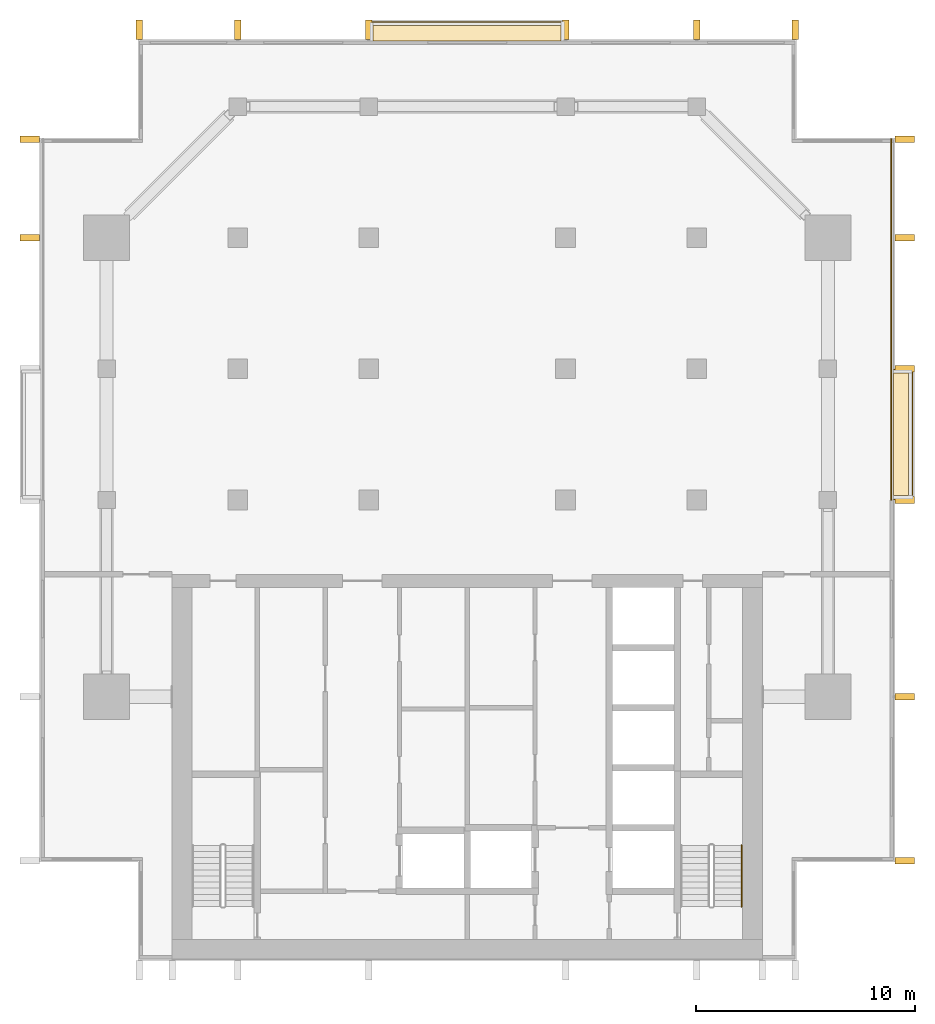
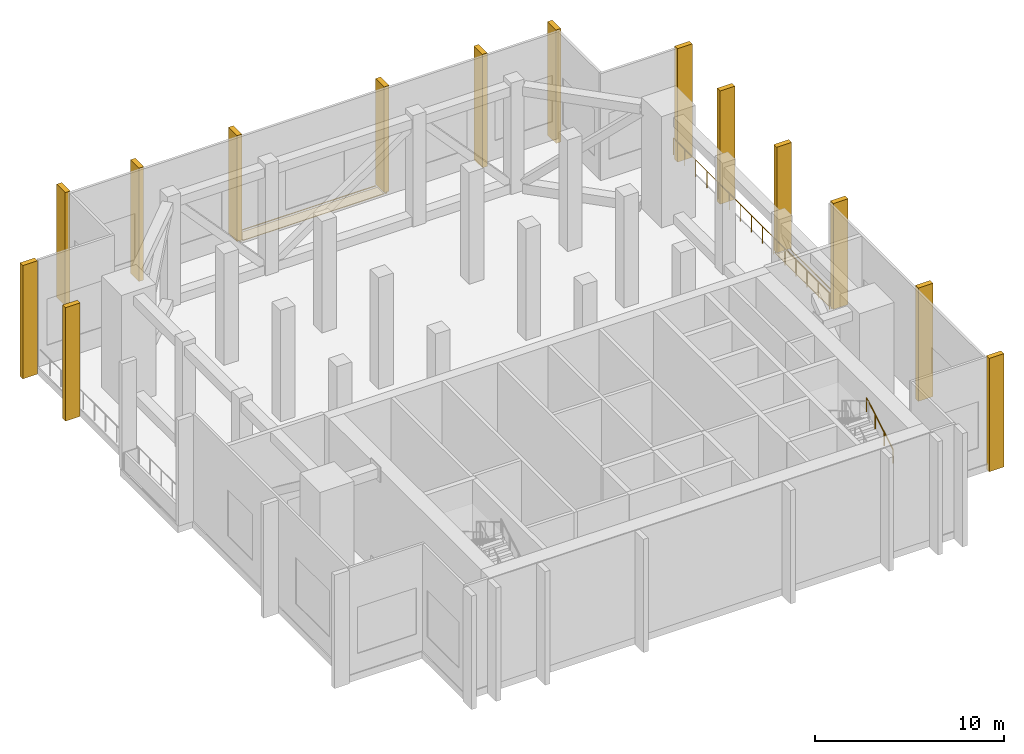
# One storey, part 9 of 9: 14 shading devices, 2 coverings, 2 railings.
"""IFC4 building model written with IfcOpenShell, lengths in metres."""

from ifc_helpers import new_model, si_unit, direction, frame, origin, origin_2d, place, context, subcontext, project, spatial, polyline, rectangle, circle, outline, extrude, material, layer, layer_set, type_object, element, save


model = new_model("IFC4")

# Units and contexts
model_context = context("Model", 3, precision=1e-05, world=origin(), true_north=direction((0.0, 1.0)))
body_context = subcontext(model_context, "Body", "Model", "MODEL_VIEW")
ifc_project = project(units=[si_unit("LENGTHUNIT", "METRE"), si_unit("AREAUNIT", "SQUARE_METRE"), si_unit("VOLUMEUNIT", "CUBIC_METRE"), si_unit("PLANEANGLEUNIT", "RADIAN"), si_unit("MASSUNIT", "GRAM", prefix="KILO")], contexts=[model_context])

# Site, building, storey
site_placement = place(None, origin())
site = spatial("IfcSite", under=ifc_project, at=site_placement, CompositionType="ELEMENT")
building_placement = place(site_placement, origin())
building = spatial("IfcBuilding", under=site, at=building_placement, Name="Finial Court Residences", CompositionType="ELEMENT")
storey_placement = place(building_placement, frame((0.0, 0.0, 248.300048828125)))
storey = spatial("IfcBuildingStorey", under=building, at=storey_placement, Name="L63", CompositionType="ELEMENT", Elevation=248.300048828125)

# Shading devices
ifc_material_1 = material(Name="Natural limestone", Category="masonry")
shading_device_type = type_object("IfcShadingDeviceType", Name="Limestone fin 300 x 900", PredefinedType="USERDEFINED", material=ifc_material_1)
for number, where, z_axis, x_axis, name in (
    (1, (-15.0, 17.010009765625, -0.4501953125), (0.0, 0.0, 1.0), (1.0, 0.0, 0.0), "E-L63-FIN-N1"),
    (2, (-10.5, 17.010009765625, -0.4501953125), (0.0, 0.0, 1.0), (1.0, 0.0, 0.0), "E-L63-FIN-N2"),
):
    element("IfcShadingDevice", number, at=place(storey_placement, frame(where, z_axis=z_axis, x_axis=x_axis)), inside=storey, type_object=shading_device_type, Name=name, ObjectType="FIN", PredefinedType="USERDEFINED", context=body_context, shape_type="SweptSolid", body=[
        extrude(rectangle(XDim=0.300048828125, YDim=0.89990234375, at=origin_2d()), origin(), (0.0, 0.0, 1.0), 7.330078125),
    ])
for number, where, z_axis, x_axis, name in (
    (3, (-4.5, 17.010009765625, 0.0400390625), (0.0, 0.0, 1.0), (1.0, 0.0, 0.0), "E-L63-FIN-N3"),
    (4, (4.5, 17.010009765625, 0.0400390625), (0.0, 0.0, 1.0), (1.0, 0.0, 0.0), "E-L63-FIN-N4"),
):
    element("IfcShadingDevice", number, at=place(storey_placement, frame(where, z_axis=z_axis, x_axis=x_axis)), inside=storey, type_object=shading_device_type, Name=name, ObjectType="FIN", PredefinedType="USERDEFINED", context=body_context, shape_type="SweptSolid", body=[
        extrude(rectangle(XDim=0.300048828125, YDim=0.89990234375, at=origin_2d()), origin(), (0.0, 0.0, 1.0), 6.840087890625),
    ])
for number, where, z_axis, x_axis, name in (
    (5, (10.5, 17.010009765625, -0.4501953125), (0.0, 0.0, 1.0), (1.0, 0.0, 0.0), "E-L63-FIN-N5"),
    (6, (15.0, 17.010009765625, -0.4501953125), (0.0, 0.0, 1.0), (1.0, 0.0, 0.0), "E-L63-FIN-N6"),
):
    element("IfcShadingDevice", number, at=place(storey_placement, frame(where, z_axis=z_axis, x_axis=x_axis)), inside=storey, type_object=shading_device_type, Name=name, ObjectType="FIN", PredefinedType="USERDEFINED", context=body_context, shape_type="SweptSolid", body=[
        extrude(rectangle(XDim=0.300048828125, YDim=0.89990234375, at=origin_2d()), origin(), (0.0, 0.0, 1.0), 7.330078125),
    ])
for number, where, z_axis, x_axis, name in (
    (7, (20.010009765625, -21.0, -0.4501953125), (0.0, 0.0, 1.0), (1.0, 0.0, 0.0), "E-L63-FIN-E7"),
    (8, (20.010009765625, -13.5, -0.4501953125), (0.0, 0.0, 1.0), (1.0, 0.0, 0.0), "E-L63-FIN-E8"),
):
    element("IfcShadingDevice", number, at=place(storey_placement, frame(where, z_axis=z_axis, x_axis=x_axis)), inside=storey, type_object=shading_device_type, Name=name, ObjectType="FIN", PredefinedType="USERDEFINED", context=body_context, shape_type="SweptSolid", body=[
        extrude(rectangle(XDim=0.89990234375, YDim=0.300048828125, at=origin_2d()), origin(), (0.0, 0.0, 1.0), 7.330078125),
    ])
for number, where, z_axis, x_axis, name in (
    (9, (20.010009765625, -4.5, 0.0400390625), (0.0, 0.0, 1.0), (1.0, 0.0, 0.0), "E-L63-FIN-E9"),
    (10, (20.010009765625, 1.5, 0.0400390625), (0.0, 0.0, 1.0), (1.0, 0.0, 0.0), "E-L63-FIN-E10"),
):
    element("IfcShadingDevice", number, at=place(storey_placement, frame(where, z_axis=z_axis, x_axis=x_axis)), inside=storey, type_object=shading_device_type, Name=name, ObjectType="FIN", PredefinedType="USERDEFINED", context=body_context, shape_type="SweptSolid", body=[
        extrude(rectangle(XDim=0.89990234375, YDim=0.300048828125, at=origin_2d()), origin(), (0.0, 0.0, 1.0), 6.840087890625),
    ])
for number, where, z_axis, x_axis, name in (
    (11, (20.010009765625, 7.5, -0.4501953125), (0.0, 0.0, 1.0), (1.0, 0.0, 0.0), "E-L63-FIN-E11"),
    (12, (20.010009765625, 12.0, -0.4501953125), (0.0, 0.0, 1.0), (1.0, 0.0, 0.0), "E-L63-FIN-E12"),
    (13, (-20.010009765625, 7.5, -0.4501953125), (0.0, 0.0, 1.0), (1.0, 0.0, 0.0), "E-L63-FIN-W25"),
    (14, (-20.010009765625, 12.0, -0.4501953125), (0.0, 0.0, 1.0), (1.0, 0.0, 0.0), "E-L63-FIN-W26"),
):
    element("IfcShadingDevice", number, at=place(storey_placement, frame(where, z_axis=z_axis, x_axis=x_axis)), inside=storey, type_object=shading_device_type, Name=name, ObjectType="FIN", PredefinedType="USERDEFINED", context=body_context, shape_type="SweptSolid", body=[
        extrude(rectangle(XDim=0.89990234375, YDim=0.300048828125, at=origin_2d()), origin(), (0.0, 0.0, 1.0), 7.330078125),
    ])

# Coverings
ifc_material_2 = material(Name="Bitumen membrane")
ifc_layer = layer(ifc_material_2, 0.0400390625)
ifc_layer_set = layer_set([ifc_layer], Name="Push box roofing, bitumen membrane 40")
covering_type = type_object("IfcCoveringType", Name="Push box roofing, bitumen membrane 40", PredefinedType="ROOFING", material=ifc_layer_set)
covering_1_placement = place(storey_placement, origin())
element("IfcCovering", 15, at=covering_1_placement, inside=storey, type_object=covering_type, Name="E-L63-LED2b", PredefinedType="ROOFING", context=body_context, shape_type="SweptSolid", body=[
    extrude(outline(polyline([(4.5, 16.5), (-4.5, 16.5), (-4.5, 17.39990234375), (4.300048828125, 17.39990234375), (4.300048828125, 17.35009765625), (-4.300048828125, 17.35009765625), (-4.300048828125, 17.35009765625), (-4.449951171875, 17.35009765625), (-4.449951171875, 16.510009765625), (-4.300048828125, 16.510009765625), (-4.300048828125, 17.199951171875), (4.300048828125, 17.199951171875), (4.300048828125, 16.510009765625), (4.449951171875, 16.510009765625), (4.449951171875, 17.199951171875), (4.5, 17.199951171875), (4.5, 16.5)])), origin(), (0.0, 0.0, 1.0), 0.0400390625),
])
covering_2_placement = place(storey_placement, origin())
element("IfcCovering", 16, at=covering_2_placement, inside=storey, type_object=covering_type, Name="E-L63-LED3b", PredefinedType="ROOFING", context=body_context, shape_type="SweptSolid", body=[
    extrude(outline(polyline([(19.5, -4.5), (19.5, 1.5), (20.39990234375, 1.5), (20.39990234375, -4.300048828125), (20.35009765625, -4.300048828125), (20.35009765625, 1.300048828125), (20.35009765625, 1.300048828125), (20.35009765625, 1.449951171875), (19.510009765625, 1.449951171875), (19.510009765625, 1.300048828125), (20.199951171875, 1.300048828125), (20.199951171875, -4.300048828125), (19.510009765625, -4.300048828125), (19.510009765625, -4.449951171875), (20.199951171875, -4.449951171875), (20.199951171875, -4.5), (19.5, -4.5)])), origin(), (0.0, 0.0, 1.0), 0.0400390625),
])

# Railings
ifc_material_3 = material(Name="Stainless steel railing", Category="steel")
railing_type_1 = type_object("IfcRailingType", Name="Stair handrail 900", PredefinedType="HANDRAIL", material=ifc_material_3)
railing_1_placement = place(storey_placement, frame((12.550048828125, -23.10009765625, 3.763671875)))
element("IfcRailing", 17, at=railing_1_placement, inside=storey, type_object=railing_type_1, Name="L63 ST-2 stair handrail 3", PredefinedType="HANDRAIL", context=body_context, shape_type="SweptSolid", body=[
    extrude(circle(Radius=0.02392578125, at=origin_2d()), frame((0.0, 0.0, 0.8759765625), z_axis=(0.0, 0.863393664356, 0.504530851732), x_axis=(-1.0, 0.0, 0.0)), (0.0, 0.0, 1.0), 3.2431640625),
    extrude(circle(Radius=0.02099609375, at=origin_2d()), origin(), (0.0, 0.0, 1.0), 0.851806640625),
    extrude(circle(Radius=0.02099609375, at=origin_2d()), frame((0.0, 0.933349609375, 0.54541015625)), (0.0, 0.0, 1.0), 0.851806640625),
    extrude(circle(Radius=0.02099609375, at=origin_2d()), frame((0.0, 1.86669921875, 1.0908203125)), (0.0, 0.0, 1.0), 0.851806640625),
    extrude(circle(Radius=0.02099609375, at=origin_2d()), frame((0.0, 2.800048828125, 1.63623046875)), (0.0, 0.0, 1.0), 0.851806640625),
])
ifc_material_4 = material(Name="Bronze anodised aluminium", Category="aluminium")
railing_type_2 = type_object("IfcRailingType", Name="Wind portal guard 1100", PredefinedType="GUARDRAIL", material=ifc_material_4)
railing_2_placement = place(storey_placement, frame((19.39990234375, -4.5, 0.0)))
element("IfcRailing", 18, at=railing_2_placement, inside=storey, type_object=railing_type_2, Name="E-L63-PORTAL-R1", PredefinedType="GUARDRAIL", context=body_context, shape_type="SweptSolid", body=[
    extrude(circle(Radius=0.02392578125, at=origin_2d()), frame((0.0, 0.0, 1.076171875), z_axis=(0.0, 1.0, 0.0), x_axis=(-1.0, 0.0, 0.0)), (0.0, 0.0, 1.0), 16.5),
    extrude(circle(Radius=0.02099609375, at=origin_2d()), origin(), (0.0, 0.0, 1.0), 1.052001953125),
    extrude(circle(Radius=0.02099609375, at=origin_2d()), frame((0.0, 1.178466796875, 0.0)), (0.0, 0.0, 1.0), 1.052001953125),
    extrude(circle(Radius=0.02099609375, at=origin_2d()), frame((0.0, 2.357177734375, 0.0)), (0.0, 0.0, 1.0), 1.052001953125),
    extrude(circle(Radius=0.02099609375, at=origin_2d()), frame((0.0, 3.53564453125, 0.0)), (0.0, 0.0, 1.0), 1.052001953125),
    extrude(circle(Radius=0.02099609375, at=origin_2d()), frame((0.0, 4.71435546875, 0.0)), (0.0, 0.0, 1.0), 1.052001953125),
    extrude(circle(Radius=0.02099609375, at=origin_2d()), frame((0.0, 5.892822265625, 0.0)), (0.0, 0.0, 1.0), 1.052001953125),
    extrude(circle(Radius=0.02099609375, at=origin_2d()), frame((0.0, 7.071533203125, 0.0)), (0.0, 0.0, 1.0), 1.052001953125),
    extrude(circle(Radius=0.02099609375, at=origin_2d()), frame((0.0, 8.25, 0.0)), (0.0, 0.0, 1.0), 1.052001953125),
    extrude(circle(Radius=0.02099609375, at=origin_2d()), frame((0.0, 9.428466796875, 0.0)), (0.0, 0.0, 1.0), 1.052001953125),
    extrude(circle(Radius=0.02099609375, at=origin_2d()), frame((0.0, 10.607177734375, 0.0)), (0.0, 0.0, 1.0), 1.052001953125),
    extrude(circle(Radius=0.02099609375, at=origin_2d()), frame((0.0, 11.78564453125, 0.0)), (0.0, 0.0, 1.0), 1.052001953125),
    extrude(circle(Radius=0.02099609375, at=origin_2d()), frame((0.0, 12.96435546875, 0.0)), (0.0, 0.0, 1.0), 1.052001953125),
    extrude(circle(Radius=0.02099609375, at=origin_2d()), frame((0.0, 14.142822265625, 0.0)), (0.0, 0.0, 1.0), 1.052001953125),
    extrude(circle(Radius=0.02099609375, at=origin_2d()), frame((0.0, 15.321533203125, 0.0)), (0.0, 0.0, 1.0), 1.052001953125),
    extrude(circle(Radius=0.02099609375, at=origin_2d()), frame((0.0, 16.5, 0.0)), (0.0, 0.0, 1.0), 1.052001953125),
])

save(model, "model.ifc")
